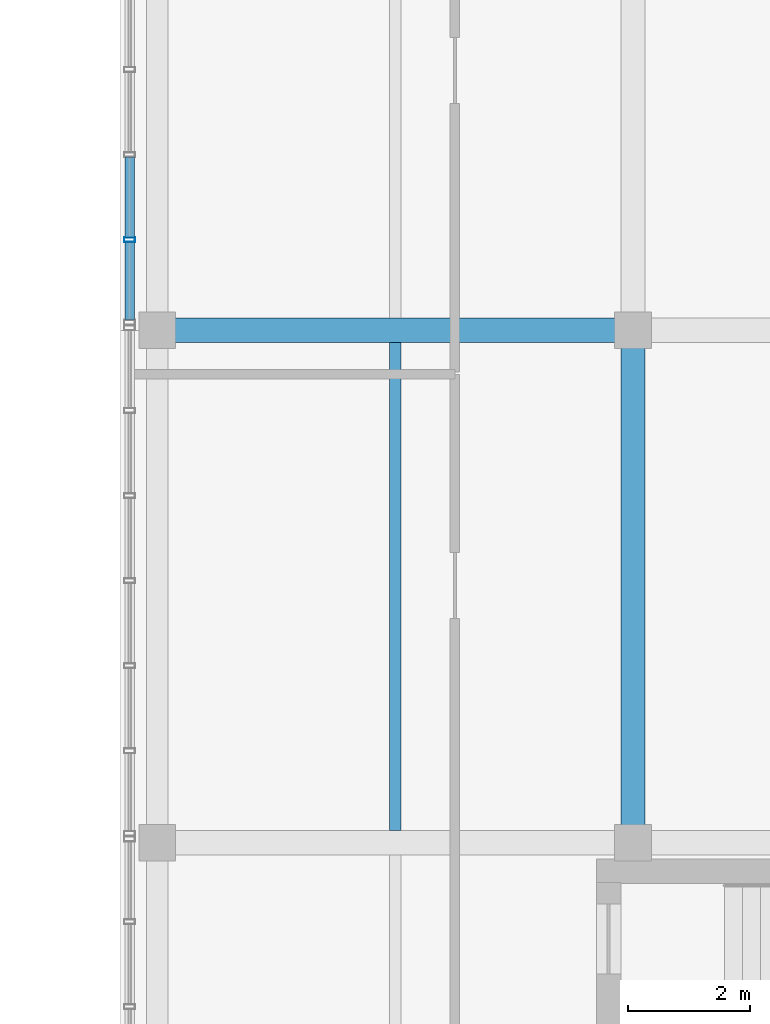
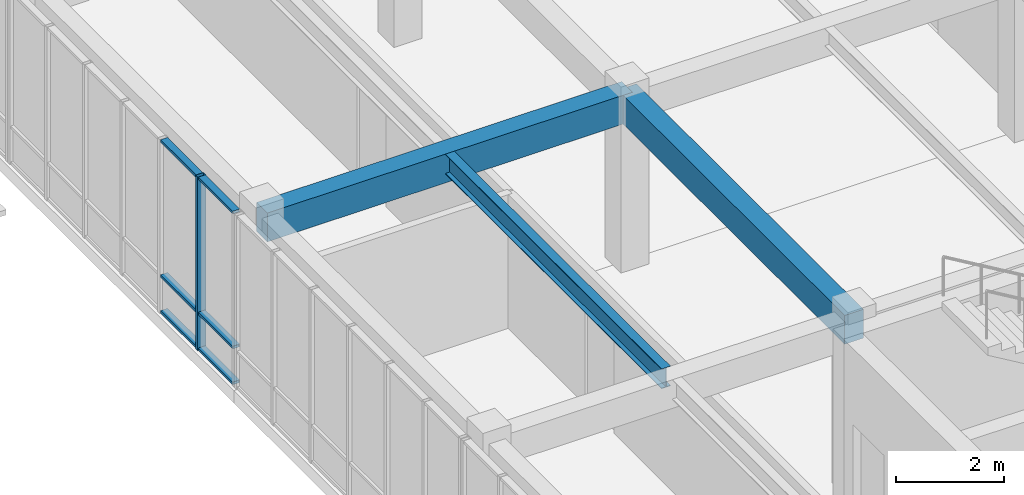
# One storey, part 30 of 123: 7 members, 3 beams, 1 element without a shape of its own.
"""IFC4 building model written with IfcOpenShell, lengths in metres."""

from ifc_helpers import new_model, si_unit, direction, frame, origin, origin_2d, place, context, subcontext, project, spatial, rectangle, hollow_rectangle, i_section, extrude, material, layer, layer_set, material_profile, profile_set, type_object, element, aggregate, save


model = new_model("IFC4")

# Units and contexts
model_context = context("Model", 3, precision=1e-05, world=origin(), true_north=direction((0.0, 1.0)))
body_context = subcontext(model_context, "Body", "Model", "MODEL_VIEW")
ifc_project = project(units=[si_unit("LENGTHUNIT", "METRE"), si_unit("AREAUNIT", "SQUARE_METRE"), si_unit("VOLUMEUNIT", "CUBIC_METRE"), si_unit("PLANEANGLEUNIT", "RADIAN"), si_unit("MASSUNIT", "GRAM", prefix="KILO")], contexts=[model_context])

# Site, building, storey
site_placement = place(None, origin())
site = spatial("IfcSite", under=ifc_project, at=site_placement, CompositionType="ELEMENT")
building_placement = place(site_placement, origin())
building = spatial("IfcBuilding", under=site, at=building_placement, Name="Zayran Congress Hotel", CompositionType="ELEMENT")
storey_placement = place(building_placement, frame((0.0, 0.0, 15.0)))
storey = spatial("IfcBuildingStorey", under=building, at=storey_placement, Name="L03", CompositionType="ELEMENT", Elevation=15.0)

# Beams
ifc_material_1 = material(Name="Concrete C40/50", Category="concrete")
ifc_material_profile_1 = material_profile(ifc_material_1, rectangle(XDim=0.39990234375, YDim=0.64990234375, at=origin_2d()), Name="RC 400x650")
ifc_profile_set_1 = profile_set([ifc_material_profile_1], Name="Concrete C40/50")
beam_type_1 = type_object("IfcBeamType", Name="TP-BM-03", PredefinedType="BEAM", material=ifc_profile_set_1)
beam_1_placement = place(storey_placement, frame((109.800048828125, 67.60009765625, 3.594970703125), z_axis=(1.0, 0.0, 0.0), x_axis=(0.0, 1.0, 0.0)))
element("IfcBeam", 1, at=beam_1_placement, inside=storey, type_object=beam_type_1, Name="BM-V4-L03-1500", PredefinedType="BEAM", context=body_context, shape_type="SweptSolid", body=[
    extrude(rectangle(XDim=0.39990234375, YDim=0.64990234375, at=origin_2d()), origin(), (0.0, 0.0, 1.0), 7.800048828125),
])
beam_2_placement = place(storey_placement, frame((117.60009765625, 59.199951171875, 3.594970703125), z_axis=(0.0, 1.0, 0.0), x_axis=(-1.0, 0.0, 0.0)))
element("IfcBeam", 2, at=beam_2_placement, inside=storey, type_object=beam_type_1, Name="BM-V4-L03-1523", PredefinedType="BEAM", context=body_context, shape_type="SweptSolid", body=[
    extrude(rectangle(XDim=0.39990234375, YDim=0.64990234375, at=origin_2d()), origin(), (0.0, 0.0, 1.0), 8.400146484375),
])
ifc_material_2 = material(Name="Steel S355", Category="steel")
ifc_material_profile_2 = material_profile(ifc_material_2, i_section(OverallWidth=0.18994140625, OverallDepth=0.449951171875, WebThickness=0.009521484375, FlangeThickness=0.0146484375, at=origin_2d()), Name="IPE 450")
ifc_profile_set_2 = profile_set([ifc_material_profile_2], Name="Steel S355")
beam_type_2 = type_object("IfcBeamType", Name="TP-JS-02", PredefinedType="JOIST", material=ifc_profile_set_2)
beam_3_placement = place(storey_placement, frame((113.699951171875, 59.39990234375, 3.695068359375), z_axis=(0.0, 1.0, 0.0), x_axis=(-1.0, 0.0, 0.0)))
element("IfcBeam", 3, at=beam_3_placement, inside=storey, type_object=beam_type_2, Name="JST-V4-L03-1543", PredefinedType="JOIST", context=body_context, shape_type="SweptSolid", body=[
    extrude(i_section(OverallWidth=0.18994140625, OverallDepth=0.449951171875, WebThickness=0.009521484375, FlangeThickness=0.0146484375, at=origin_2d()), origin(), (0.0, 0.0, 1.0), 8.0),
])

# Curtain wall, members
ifc_material_3 = material(Name="Anodised aluminium and low-E insulated glass", Category="aluminium")
ifc_layer = layer(ifc_material_3, 0.179931640625)
ifc_layer_set = layer_set([ifc_layer], Name="Anodised aluminium and low-E insulated glass")
curtain_wall_type = type_object("IfcCurtainWallType", Name="CW-V4W-L03-CW-51-8368-3920", PredefinedType="USERDEFINED", material=ifc_layer_set)
curtain_wall_placement = place(storey_placement, origin())
curtain_wall = element("IfcCurtainWall", 4, at=curtain_wall_placement, inside=storey, type_object=curtain_wall_type, Name="CW-V4W-L03-3", ObjectType="CURTAIN WALL", PredefinedType="USERDEFINED")
ifc_material_4 = material(Name="Anodised aluminium framing", Category="aluminium")
ifc_material_profile_3 = material_profile(ifc_material_4, hollow_rectangle(XDim=0.080078125, YDim=0.179931640625, WallThickness=0.0048828125, at=origin_2d()), Name="RHS 180x80x5")
ifc_profile_set_3 = profile_set([ifc_material_profile_3], Name="Anodised aluminium framing")
member_type_1 = type_object("IfcMemberType", Name="TP-CWM-01", PredefinedType="MULLION", material=ifc_profile_set_3)
member_1_placement = place(storey_placement, frame((109.35009765625, 69.085693359375, 0.0), z_axis=(0.0, 0.0, 1.0), x_axis=(0.0, 1.0, 0.0)))
member_1 = element("IfcMember", 5, at=member_1_placement, type_object=member_type_1, Name="CW-V4W-L03-3-M05", PredefinedType="MULLION", context=body_context, shape_type="SweptSolid", body=[
    extrude(hollow_rectangle(XDim=0.080078125, YDim=0.179931640625, WallThickness=0.0048828125, at=origin_2d()), origin(), (0.0, 0.0, 1.0), 3.919921875),
])
ifc_material_profile_4 = material_profile(ifc_material_4, hollow_rectangle(XDim=0.06005859375, YDim=0.14990234375, WallThickness=0.00390625, at=origin_2d()), Name="RHS 150x60x4")
ifc_profile_set_4 = profile_set([ifc_material_profile_4], Name="Anodised aluminium framing")
member_type_2 = type_object("IfcMemberType", Name="TP-CWT-01", PredefinedType="USERDEFINED", material=ifc_profile_set_4)
member_2_placement = place(storey_placement, frame((109.35009765625, 70.440185546875, 0.030029296875), z_axis=(0.0, -1.0, 0.0), x_axis=(0.0, 0.0, 1.0)))
member_2 = element("IfcMember", 6, at=member_2_placement, type_object=member_type_2, Name="CW-V4W-L03-3-T04-0", ObjectType="TRANSOM", PredefinedType="USERDEFINED", context=body_context, shape_type="SweptSolid", body=[
    extrude(hollow_rectangle(XDim=0.06005859375, YDim=0.14990234375, WallThickness=0.00390625, at=origin_2d()), origin(), (0.0, 0.0, 1.0), 1.314453125),
])
member_3_placement = place(storey_placement, frame((109.35009765625, 70.440185546875, 0.840087890625), z_axis=(0.0, -1.0, 0.0), x_axis=(0.0, 0.0, 1.0)))
member_3 = element("IfcMember", 7, at=member_3_placement, type_object=member_type_2, Name="CW-V4W-L03-3-T04-1", ObjectType="TRANSOM", PredefinedType="USERDEFINED", context=body_context, shape_type="SweptSolid", body=[
    extrude(hollow_rectangle(XDim=0.06005859375, YDim=0.14990234375, WallThickness=0.00390625, at=origin_2d()), origin(), (0.0, 0.0, 1.0), 1.314453125),
])
member_4_placement = place(storey_placement, frame((109.35009765625, 70.440185546875, 3.889892578125), z_axis=(0.0, -1.0, 0.0), x_axis=(0.0, 0.0, 1.0)))
member_4 = element("IfcMember", 8, at=member_4_placement, type_object=member_type_2, Name="CW-V4W-L03-3-T04-2", ObjectType="TRANSOM", PredefinedType="USERDEFINED", context=body_context, shape_type="SweptSolid", body=[
    extrude(hollow_rectangle(XDim=0.06005859375, YDim=0.14990234375, WallThickness=0.00390625, at=origin_2d()), origin(), (0.0, 0.0, 1.0), 1.314453125),
])
member_5_placement = place(storey_placement, frame((109.35009765625, 69.045654296875, 0.030029296875), z_axis=(0.0, -1.0, 0.0), x_axis=(0.0, 0.0, 1.0)))
member_5 = element("IfcMember", 9, at=member_5_placement, type_object=member_type_2, Name="CW-V4W-L03-3-T05-0", ObjectType="TRANSOM", PredefinedType="USERDEFINED", context=body_context, shape_type="SweptSolid", body=[
    extrude(hollow_rectangle(XDim=0.06005859375, YDim=0.14990234375, WallThickness=0.00390625, at=origin_2d()), origin(), (0.0, 0.0, 1.0), 1.274658203125),
])
member_6_placement = place(storey_placement, frame((109.35009765625, 69.045654296875, 0.840087890625), z_axis=(0.0, -1.0, 0.0), x_axis=(0.0, 0.0, 1.0)))
member_6 = element("IfcMember", 10, at=member_6_placement, type_object=member_type_2, Name="CW-V4W-L03-3-T05-1", ObjectType="TRANSOM", PredefinedType="USERDEFINED", context=body_context, shape_type="SweptSolid", body=[
    extrude(hollow_rectangle(XDim=0.06005859375, YDim=0.14990234375, WallThickness=0.00390625, at=origin_2d()), origin(), (0.0, 0.0, 1.0), 1.274658203125),
])
member_7_placement = place(storey_placement, frame((109.35009765625, 69.045654296875, 3.889892578125), z_axis=(0.0, -1.0, 0.0), x_axis=(0.0, 0.0, 1.0)))
member_7 = element("IfcMember", 11, at=member_7_placement, type_object=member_type_2, Name="CW-V4W-L03-3-T05-2", ObjectType="TRANSOM", PredefinedType="USERDEFINED", context=body_context, shape_type="SweptSolid", body=[
    extrude(hollow_rectangle(XDim=0.06005859375, YDim=0.14990234375, WallThickness=0.00390625, at=origin_2d()), origin(), (0.0, 0.0, 1.0), 1.274658203125),
])
aggregate(curtain_wall, [member_1, member_2, member_3, member_4, member_5, member_6, member_7])

save(model, "model.ifc")
